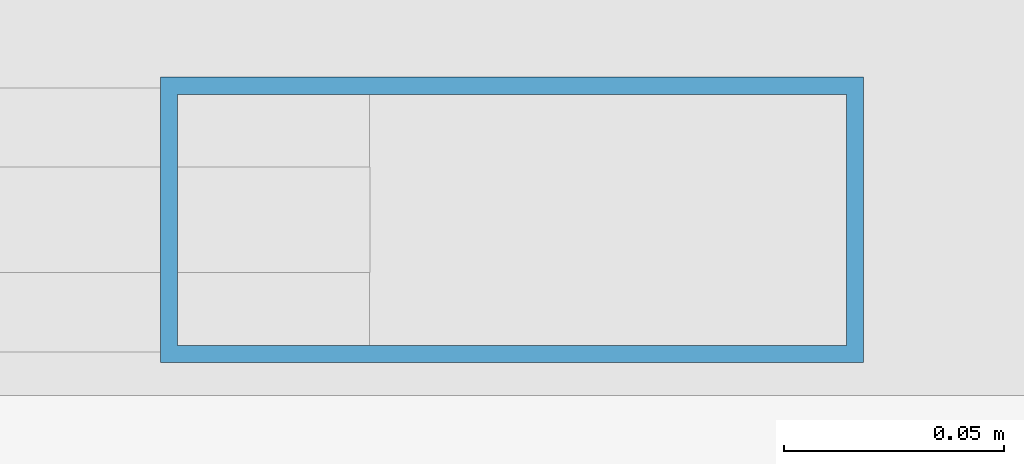
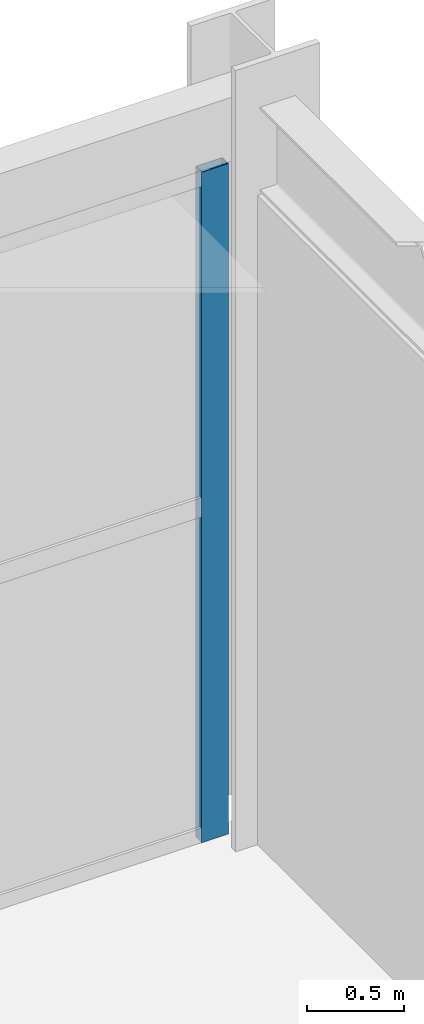
# One storey, part 98 of 144: 1 member, 1 element without a shape of its own.
"""IFC4 building model written with IfcOpenShell, lengths in metres."""

from ifc_helpers import new_model, si_unit, direction, frame, origin, origin_2d, place, context, subcontext, project, spatial, hollow_rectangle, extrude, material, material_profile, profile_set, type_object, element, aggregate, save


model = new_model("IFC4")

# Units and contexts
model_context = context("Model", 3, precision=1e-05, world=origin(), true_north=direction((0.0, 1.0)))
body_context = subcontext(model_context, "Body", "Model", "MODEL_VIEW")
ifc_project = project(units=[si_unit("LENGTHUNIT", "METRE"), si_unit("AREAUNIT", "SQUARE_METRE"), si_unit("VOLUMEUNIT", "CUBIC_METRE"), si_unit("PLANEANGLEUNIT", "RADIAN"), si_unit("MASSUNIT", "GRAM", prefix="KILO")], contexts=[model_context])

# Site, building, storey
site_placement = place(None, origin())
site = spatial("IfcSite", under=ifc_project, at=site_placement, CompositionType="ELEMENT")
building_placement = place(site_placement, origin())
building = spatial("IfcBuilding", under=site, at=building_placement, Name="Karori Crest Natural Sciences Institute", CompositionType="ELEMENT")
storey_placement = place(building_placement, origin())
storey = spatial("IfcBuildingStorey", under=building, at=storey_placement, Name="L00", CompositionType="ELEMENT", Elevation=0.0)

# Curtain wall, member
ifc_material = material(Name="Anodised architectural aluminium 6063-T6", Category="aluminium")
curtain_wall_type = type_object("IfcCurtainWallType", Name="CWT-20", PredefinedType="NOTDEFINED", material=ifc_material)
curtain_wall_placement = place(storey_placement, origin())
curtain_wall = element("IfcCurtainWall", 1, at=curtain_wall_placement, inside=storey, type_object=curtain_wall_type, Name="Curtain wall CW-0303", PredefinedType="NOTDEFINED")
ifc_material_profile = material_profile(ifc_material, hollow_rectangle(XDim=0.06494140625, YDim=0.159912109375, WallThickness=0.00390625, at=origin_2d()), Name="CWM160x65x4")
ifc_profile_set = profile_set([ifc_material_profile], Name="Anodised architectural aluminium 6063-T6")
member_type = type_object("IfcMemberType", Name="CWM-01", PredefinedType="MULLION", material=ifc_profile_set)
member_placement = place(storey_placement, frame((161.91943359375, 20.5400390625, 0.0), z_axis=(0.0, 0.0, 1.0), x_axis=(0.0, 1.0, 0.0)))
member = element("IfcMember", 2, at=member_placement, type_object=member_type, Name="CW-0303 mullion 3", PredefinedType="MULLION", context=body_context, shape_type="SweptSolid", body=[
    extrude(hollow_rectangle(XDim=0.06494140625, YDim=0.159912109375, WallThickness=0.00390625, at=origin_2d()), origin(), (0.0, 0.0, 1.0), 4.205078125),
])
aggregate(curtain_wall, [member])

save(model, "model.ifc")
